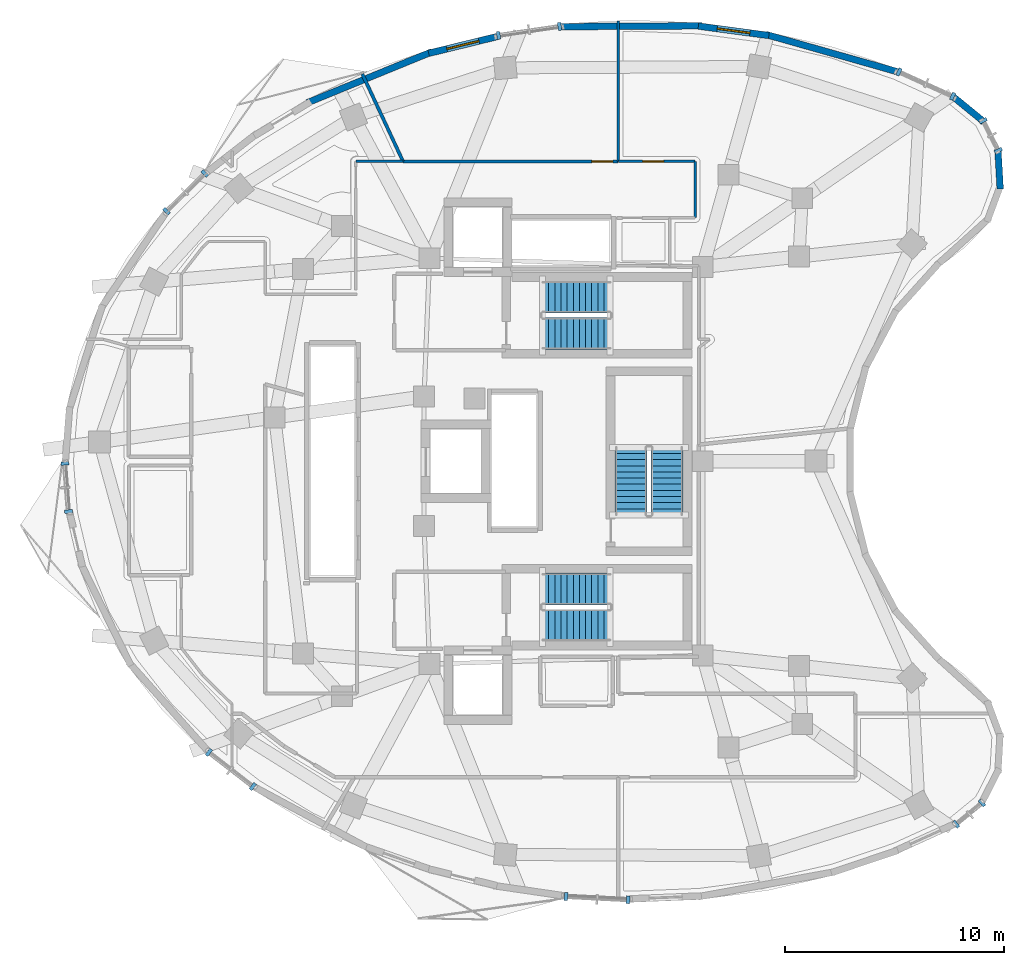
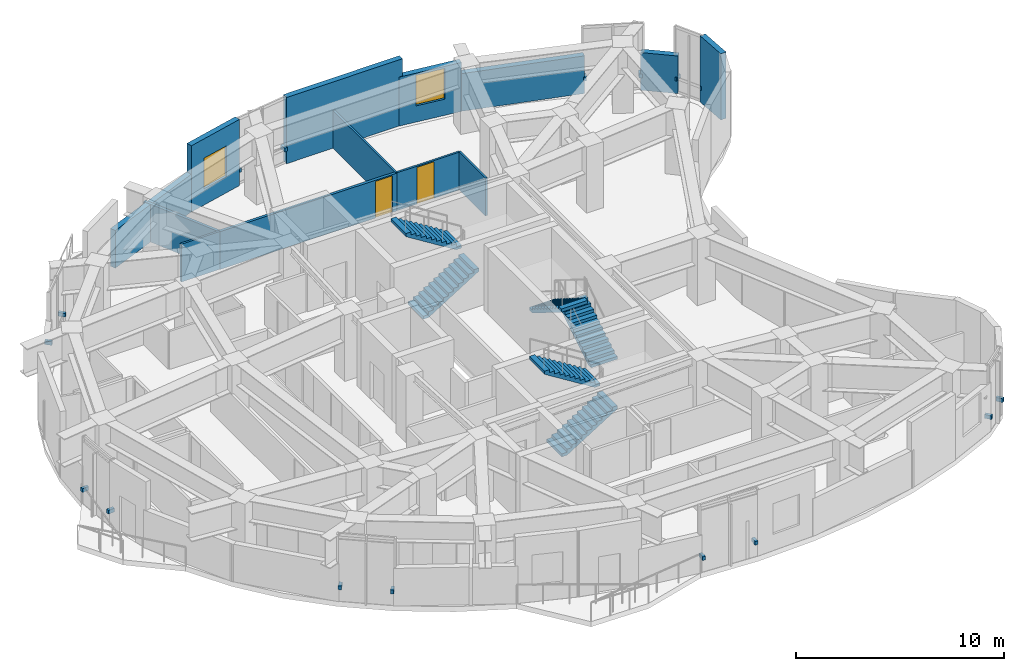
# One storey, part 10 of 13: 16 discrete accessories, 13 walls, 6 stair flights, 2 doors, 2 windows, 4 openings, 3 elements without a shape of their own.
"""IFC4 building model written with IfcOpenShell, lengths in metres."""

from ifc_helpers import new_model, si_unit, direction, frame, frame_2d, origin, origin_2d, place, context, subcontext, project, spatial, polyline, rectangle, outline, extrude, material, layer, layer_set, type_object, element, fill, aggregate, save


model = new_model("IFC4")

# Units and contexts
model_context = context("Model", 3, precision=1e-05, world=origin(), true_north=direction((0.0, 1.0)))
body_context = subcontext(model_context, "Body", "Model", "MODEL_VIEW")
ifc_project = project(units=[si_unit("LENGTHUNIT", "METRE"), si_unit("AREAUNIT", "SQUARE_METRE"), si_unit("VOLUMEUNIT", "CUBIC_METRE"), si_unit("PLANEANGLEUNIT", "RADIAN"), si_unit("MASSUNIT", "GRAM", prefix="KILO")], contexts=[model_context])

# Site, building, storey
site_placement = place(None, origin())
site = spatial("IfcSite", under=ifc_project, at=site_placement, CompositionType="ELEMENT")
building_placement = place(site_placement, origin())
building = spatial("IfcBuilding", under=site, at=building_placement, Name="Korentha Bioscience Tower", CompositionType="ELEMENT")
storey_placement = place(building_placement, frame((0.0, 0.0, 208.800048828125)))
storey = spatial("IfcBuildingStorey", under=building, at=storey_placement, Name="L48", CompositionType="ELEMENT", Elevation=208.800048828125)

# Wall, opening, door
ifc_material_1 = material(Name="Double-Stud Acoustic Gypsum", Category="gypsum")
ifc_layer_1 = layer(ifc_material_1, 0.14990234375, Name="Double-Stud Acoustic Gypsum")
ifc_layer_set_1 = layer_set([ifc_layer_1], Name="Double-Stud Acoustic Gypsum (IW-L150)")
wall_type_1 = type_object("IfcWallType", Name="Acoustic Laboratory Partition Wall 150", PredefinedType="PARTITIONING", material=ifc_layer_set_1)
wall_1_placement = place(storey_placement, frame((33.69189453125, 40.659912109375, 0.0), z_axis=(0.0, 0.0, 1.0), x_axis=(-1.0, 0.0, 0.0)))
wall_1 = element("IfcWall", 1, at=wall_1_placement, inside=storey, type_object=wall_type_1, Name="L48 Data Visualization Collaboration Hub 08 Entrance Wall", PredefinedType="PARTITIONING", context=body_context, shape_type="SweptSolid", body=[
    extrude(rectangle(XDim=9.798095703125, YDim=0.14990234375, at=frame_2d((4.89892578125, 0.0))), origin(), (0.0, 0.0, 1.0), 2.219970703125),
])
opening_1_placement = place(wall_1_placement, frame((0.239990234375, 0.0, 0.0)))
opening_1 = element("IfcOpeningElement", 2, at=opening_1_placement, cuts=wall_1, Name="Opening ID-10R", PredefinedType="OPENING", context=body_context, shape_type="SweptSolid", body=[
    extrude(rectangle(XDim=0.949951171875, YDim=2.14990234375, at=frame_2d((0.47509765625, 1.074951171875))), frame((0.0, 0.08984375, 0.0), z_axis=(0.0, -1.0, 0.0), x_axis=(1.0, 0.0, 0.0)), (0.0, 0.0, 1.0), 0.1796875),
])
ifc_material_2 = material(Name="Phenolic Laminate Timber Core", Category="wood")
door_type_1 = type_object("IfcDoorType", Name="Laboratory Single Leaf Door 950x2150 Right", OperationType="SINGLE_SWING_RIGHT", PredefinedType="DOOR", material=ifc_material_2)
door_1_placement = place(opening_1_placement, origin())
door_1 = element("IfcDoor", 3, at=door_1_placement, inside=storey, type_object=door_type_1, Name="L48 Data Visualization Collaboration Hub 08 Door", OperationType="SINGLE_SWING_RIGHT", OverallHeight=2.14990234375, OverallWidth=0.949951171875, PredefinedType="DOOR", context=body_context, shape_type="SweptSolid", body=[
    extrude(rectangle(XDim=0.949951171875, YDim=2.14990234375, at=frame_2d((0.47509765625, 1.074951171875))), frame((0.0, 0.02490234375, 0.0), z_axis=(0.0, -1.0, 0.0), x_axis=(1.0, 0.0, 0.0)), (0.0, 0.0, 1.0), 0.050048828125),
])
fill(opening_1, door_1)

# Wall
wall_2_placement = place(storey_placement, frame((23.893798828125, 40.659912109375, 0.0), z_axis=(0.0, 0.0, 1.0), x_axis=(-0.422620807898, 0.90630659974, 0.0)))
element("IfcWall", 4, at=wall_2_placement, inside=storey, type_object=wall_type_1, Name="L48 Interior Partition 061", PredefinedType="PARTITIONING", context=body_context, shape_type="SweptSolid", body=[
    extrude(rectangle(XDim=4.393798828125, YDim=0.14990234375, at=frame_2d((2.19677734375, 0.0))), origin(), (0.0, 0.0, 1.0), 2.219970703125),
])

# Wall, opening, door
ifc_material_3 = material(Name="Fire-Rated Framed Glass", Category="glass")
ifc_layer_2 = layer(ifc_material_3, 0.110107421875, Name="Fire-Rated Framed Glass")
ifc_layer_set_2 = layer_set([ifc_layer_2], Name="Fire-Rated Framed Glass (IW-G110)")
wall_type_2 = type_object("IfcWallType", Name="Demountable Glazed Office Partition 110", PredefinedType="MOVABLE", material=ifc_layer_set_2)
wall_3_placement = place(storey_placement, frame((37.199951171875, 40.659912109375, 0.0), z_axis=(0.0, 0.0, 1.0), x_axis=(-1.0, 0.0, 0.0)))
wall_3 = element("IfcWall", 5, at=wall_3_placement, inside=storey, type_object=wall_type_2, Name="L48 Research Group Leader Office 07 Entrance Wall", PredefinedType="MOVABLE", context=body_context, shape_type="SweptSolid", body=[
    extrude(rectangle(XDim=3.498046875, YDim=0.110107421875, at=frame_2d((1.7490234375, 0.0))), origin(), (0.0, 0.0, 1.0), 2.219970703125),
])
opening_2_placement = place(wall_3_placement, frame((1.436279296875, 0.0, 0.0)))
opening_2 = element("IfcOpeningElement", 6, at=opening_2_placement, cuts=wall_3, Name="Opening ID-10L", PredefinedType="OPENING", context=body_context, shape_type="SweptSolid", body=[
    extrude(rectangle(XDim=0.949951171875, YDim=2.14990234375, at=frame_2d((0.47509765625, 1.074951171875))), frame((0.0, 0.06982421875, 0.0), z_axis=(0.0, -1.0, 0.0), x_axis=(1.0, 0.0, 0.0)), (0.0, 0.0, 1.0), 0.139892578125),
])
door_type_2 = type_object("IfcDoorType", Name="Laboratory Single Leaf Door 950x2150 Left", OperationType="SINGLE_SWING_LEFT", PredefinedType="DOOR", material=ifc_material_2)
door_2_placement = place(opening_2_placement, origin())
door_2 = element("IfcDoor", 7, at=door_2_placement, inside=storey, type_object=door_type_2, Name="L48 Research Group Leader Office 07 Door", OperationType="SINGLE_SWING_LEFT", OverallHeight=2.14990234375, OverallWidth=0.949951171875, PredefinedType="DOOR", context=body_context, shape_type="SweptSolid", body=[
    extrude(rectangle(XDim=0.949951171875, YDim=2.14990234375, at=frame_2d((0.47509765625, 1.074951171875))), frame((0.0, 0.02490234375, 0.0), z_axis=(0.0, -1.0, 0.0), x_axis=(1.0, 0.0, 0.0)), (0.0, 0.0, 1.0), 0.050048828125),
])
fill(opening_2, door_2)

# Walls
wall_4_placement = place(storey_placement, frame((37.2099609375, 38.10009765625, 0.0), z_axis=(0.0, 0.0, 1.0), x_axis=(0.0, 1.0, 0.0)))
element("IfcWall", 8, at=wall_4_placement, inside=storey, type_object=wall_type_2, Name="L48 Interior Partition 059", PredefinedType="MOVABLE", context=body_context, shape_type="SweptSolid", body=[
    extrude(rectangle(XDim=2.5498046875, YDim=0.110107421875, at=frame_2d((1.27490234375, 0.0))), origin(), (0.0, 0.0, 1.0), 2.219970703125),
])
wall_5_placement = place(storey_placement, frame((33.701904296875, 40.659912109375, 0.0), z_axis=(0.0, 0.0, 1.0), x_axis=(0.0, 1.0, 0.0)))
element("IfcWall", 9, at=wall_5_placement, inside=storey, type_object=wall_type_2, Name="L48 Interior Partition 060", PredefinedType="MOVABLE", context=body_context, shape_type="SweptSolid", body=[
    extrude(rectangle(XDim=6.395263671875, YDim=0.110107421875, at=frame_2d((3.19775390625, 0.0))), origin(), (0.0, 0.0, 1.0), 2.219970703125),
])
wall_6_placement = place(storey_placement, frame((23.8828125, 40.659912109375, 0.0), z_axis=(0.0, 0.0, 1.0), x_axis=(-1.0, 0.0, 0.0)))
element("IfcWall", 10, at=wall_6_placement, inside=storey, type_object=wall_type_2, Name="L48 Interior Partition 064", PredefinedType="MOVABLE", context=body_context, shape_type="SweptSolid", body=[
    extrude(rectangle(XDim=2.1328125, YDim=0.110107421875, at=frame_2d((1.06640625, 0.0))), origin(), (0.0, 0.0, 1.0), 2.219970703125),
])

# Wall, opening, window
ifc_material_4 = material(Name="Honed Limestone Precast Concrete C40", Category="masonry")
ifc_layer_3 = layer(ifc_material_4, 0.300048828125, Name="Honed Limestone Precast Concrete C40")
ifc_layer_set_3 = layer_set([ifc_layer_3], Name="Honed Limestone Precast Concrete C40 (EW-ST300)")
wall_type_3 = type_object("IfcWallType", Name="Honed Limestone Cavity Spandrel Wall 300", PredefinedType="STANDARD", material=ifc_layer_set_3)
wall_7_placement = place(storey_placement, frame((40.564697265625, 46.398681640625, 0.0), z_axis=(0.0, 0.0, 1.0), x_axis=(-0.991126983618, 0.132918404839, 0.0)))
wall_7 = element("IfcWall", 11, at=wall_7_placement, inside=storey, type_object=wall_type_3, Name="L48 Honed Limestone Spandrel Wall 04", PredefinedType="STANDARD", context=body_context, shape_type="SweptSolid", body=[
    extrude(rectangle(XDim=3.241943359375, YDim=0.300048828125, at=frame_2d((1.62109375, 0.0))), origin(), (0.0, 0.0, 1.0), 2.869873046875),
])
opening_3_placement = place(wall_7_placement, frame((0.87109375, 0.0, 0.949951171875)))
opening_3 = element("IfcOpeningElement", 12, at=opening_3_placement, cuts=wall_7, Name="Opening WN-02", PredefinedType="OPENING", context=body_context, shape_type="SweptSolid", body=[
    extrude(rectangle(XDim=1.5, YDim=1.800048828125, at=frame_2d((0.75, 0.89990234375))), frame((0.0, 0.1650390625, 0.0), z_axis=(0.0, -1.0, 0.0), x_axis=(1.0, 0.0, 0.0)), (0.0, 0.0, 1.0), 0.329833984375),
])
ifc_material_5 = material(Name="Thermally Broken Aluminium Triple Glazing", Category="aluminium")
window_type = type_object("IfcWindowType", Name="Acoustic Operable Office Window 1500x1800", PartitioningType="DOUBLE_PANEL_VERTICAL", PredefinedType="WINDOW", material=ifc_material_5)
window_1_placement = place(opening_3_placement, origin())
window_1 = element("IfcWindow", 13, at=window_1_placement, inside=storey, type_object=window_type, Name="L48 Facade Window 04", OverallHeight=1.800048828125, OverallWidth=1.5, PartitioningType="DOUBLE_PANEL_VERTICAL", PredefinedType="WINDOW", context=body_context, shape_type="SweptSolid", body=[
    extrude(rectangle(XDim=1.5, YDim=1.800048828125, at=frame_2d((0.75, 0.89990234375))), frame((0.0, 0.030029296875, 0.0), z_axis=(0.0, -1.0, 0.0), x_axis=(1.0, 0.0, 0.0)), (0.0, 0.0, 1.0), 0.06005859375),
])
fill(opening_3, window_1)

wall_8_placement = place(storey_placement, frame((28.172607421875, 46.349853515625, 0.0), z_axis=(0.0, 0.0, 1.0), x_axis=(-0.971262421812, -0.238011150948, 0.0)))
wall_8 = element("IfcWall", 14, at=wall_8_placement, inside=storey, type_object=wall_type_3, Name="L48 Honed Limestone Spandrel Wall 08", PredefinedType="STANDARD", context=body_context, shape_type="SweptSolid", body=[
    extrude(rectangle(XDim=3.201416015625, YDim=0.300048828125, at=frame_2d((1.6005859375, 0.0))), origin(), (0.0, 0.0, 1.0), 3.8798828125),
])
opening_4_placement = place(wall_8_placement, frame((0.8505859375, 0.0, 0.949951171875)))
opening_4 = element("IfcOpeningElement", 15, at=opening_4_placement, cuts=wall_8, Name="Opening WN-02", PredefinedType="OPENING", context=body_context, shape_type="SweptSolid", body=[
    extrude(rectangle(XDim=1.5, YDim=1.800048828125, at=frame_2d((0.75, 0.89990234375))), frame((0.0, 0.1650390625, 0.0), z_axis=(0.0, -1.0, 0.0), x_axis=(1.0, 0.0, 0.0)), (0.0, 0.0, 1.0), 0.329833984375),
])
window_2_placement = place(opening_4_placement, origin())
window_2 = element("IfcWindow", 16, at=window_2_placement, inside=storey, type_object=window_type, Name="L48 Facade Window 08", OverallHeight=1.800048828125, OverallWidth=1.5, PartitioningType="DOUBLE_PANEL_VERTICAL", PredefinedType="WINDOW", context=body_context, shape_type="SweptSolid", body=[
    extrude(rectangle(XDim=1.5, YDim=1.800048828125, at=frame_2d((0.75, 0.89990234375))), frame((0.0, 0.030029296875, 0.0), z_axis=(0.0, -1.0, 0.0), x_axis=(1.0, 0.0, 0.0)), (0.0, 0.0, 1.0), 0.06005859375),
])
fill(opening_4, window_2)

# Walls
wall_9_placement = place(storey_placement, frame((46.449462890625, 44.741455078125, 0.0), z_axis=(0.0, 0.0, 1.0), x_axis=(-0.962117712706, 0.272634383189, 0.0)))
element("IfcWall", 17, at=wall_9_placement, inside=storey, type_object=wall_type_3, Name="L48 Limestone Perimeter Closure Wall 02", PredefinedType="STANDARD", context=body_context, shape_type="SweptSolid", body=[
    extrude(rectangle(XDim=6.275634765625, YDim=0.300048828125, at=frame_2d((3.1376953125, 0.0))), origin(), (0.0, 0.0, 1.0), 2.204833984375),
])
wall_10_placement = place(storey_placement, frame((37.51318359375, 46.840576171875, 0.0), z_axis=(0.0, 0.0, 1.0), x_axis=(-0.999982235247, -0.005960636734, 0.0)))
element("IfcWall", 18, at=wall_10_placement, inside=storey, type_object=wall_type_3, Name="L48 Limestone Perimeter Closure Wall 05", PredefinedType="STANDARD", context=body_context, shape_type="SweptSolid", body=[
    extrude(rectangle(XDim=6.430419921875, YDim=0.300048828125, at=frame_2d((3.21533203125, 0.0))), origin(), (0.0, 0.0, 1.0), 3.8798828125),
])
wall_11_placement = place(storey_placement, frame((25.21044921875, 45.658447265625, 0.0), z_axis=(0.0, 0.0, 1.0), x_axis=(-0.925564684887, -0.37858950605, 0.0)))
element("IfcWall", 19, at=wall_11_placement, inside=storey, type_object=wall_type_3, Name="L48 Limestone Perimeter Closure Wall 09", PredefinedType="STANDARD", context=body_context, shape_type="SweptSolid", body=[
    extrude(rectangle(XDim=6.141845703125, YDim=0.300048828125, at=frame_2d((3.07080078125, 0.0))), origin(), (0.0, 0.0, 1.0), 2.204833984375),
])
wall_12_placement = place(storey_placement, frame((51.108154296875, 39.406494140625, 0.0), z_axis=(0.0, 0.0, 1.0), x_axis=(-0.057436686529, 0.998349150869, 0.0)))
element("IfcWall", 20, at=wall_12_placement, inside=storey, type_object=wall_type_3, Name="L48 Limestone Perimeter Closure Wall 60", PredefinedType="STANDARD", context=body_context, shape_type="SweptSolid", body=[
    extrude(rectangle(XDim=1.81494140625, YDim=0.300048828125, at=frame_2d((0.907470703125, 0.0))), origin(), (0.0, 0.0, 1.0), 3.8798828125),
])
wall_13_placement = place(storey_placement, frame((50.3701171875, 42.462646484375, 0.0), z_axis=(0.0, 0.0, 1.0), x_axis=(-0.774119060294, 0.633040030716, 0.0)))
element("IfcWall", 21, at=wall_13_placement, inside=storey, type_object=wall_type_3, Name="L48 Limestone Perimeter Closure Wall 62", PredefinedType="STANDARD", context=body_context, shape_type="SweptSolid", body=[
    extrude(rectangle(XDim=1.8154296875, YDim=0.300048828125, at=frame_2d((0.90771484375, 0.0))), origin(), (0.0, 0.0, 1.0), 2.204833984375),
])

# Stair, stair flights
ifc_material_6 = material(Name="Precast Concrete C50", Category="concrete")
stair_type = type_object("IfcStairType", Name="Core Exit Dog-Leg Stair 1450", PredefinedType="HALF_TURN_STAIR", material=ifc_material_6)
stair_1_placement = place(storey_placement, origin())
stair_1 = element("IfcStair", 22, at=stair_1_placement, inside=storey, type_object=stair_type, Name="L48 Tower North Pressurized Exit Stair ST-1", PredefinedType="HALF_TURN_STAIR")
stair_flight_type = type_object("IfcStairFlightType", Name="Core Exit Dog-Leg Stair 1450 Flight", PredefinedType="STRAIGHT", material=ifc_material_6)
stair_flight_1_placement = place(storey_placement, frame((30.25, 32.824951171875, 0.0), z_axis=(0.0, 0.0, 1.0), x_axis=(1.0, 0.0, 0.0)))
stair_flight_1 = element("IfcStairFlight", 23, at=stair_flight_1_placement, type_object=stair_flight_type, Name="ST-1 flight 1", NumberOfRisers=12, NumberOfTreads=11, PredefinedType="STRAIGHT", RiserHeight=0.175, TreadLength=0.28, context=body_context, shape_type="SweptSolid", body=[
    extrude(outline(polyline([(0.0, 0.0), (0.0, 0.175048828125), (0.280029296875, 0.175048828125), (0.280029296875, 0.35009765625), (0.56005859375, 0.35009765625), (0.56005859375, 0.52490234375), (0.840087890625, 0.52490234375), (0.840087890625, 0.699951171875), (1.1201171875, 0.699951171875), (1.1201171875, 0.875), (1.39990234375, 0.875), (1.39990234375, 1.050048828125), (1.679931640625, 1.050048828125), (1.679931640625, 1.22509765625), (1.9599609375, 1.22509765625), (1.9599609375, 1.39990234375), (2.239990234375, 1.39990234375), (2.239990234375, 1.574951171875), (2.52001953125, 1.574951171875), (2.52001953125, 1.75), (2.800048828125, 1.75), (2.800048828125, 1.925048828125), (3.080078125, 1.925048828125), (3.080078125, 2.10009765625), (3.080078125, 1.736328125), (0.3017578125, 0.0), (0.0, 0.0)])), frame((0.0, 0.72509765625, 0.0), z_axis=(0.0, -1.0, 0.0), x_axis=(1.0, 0.0, 0.0)), (0.0, 0.0, 1.0), 1.449951171875),
])
stair_flight_2_placement = place(storey_placement, frame((33.330078125, 34.47509765625, 2.099853515625), z_axis=(0.0, 0.0, 1.0), x_axis=(-1.0, 0.0, 0.0)))
stair_flight_2 = element("IfcStairFlight", 24, at=stair_flight_2_placement, type_object=stair_flight_type, Name="ST-1 flight 2", NumberOfRisers=12, NumberOfTreads=11, PredefinedType="STRAIGHT", RiserHeight=0.175, TreadLength=0.28, context=body_context, shape_type="SweptSolid", body=[
    extrude(outline(polyline([(0.0, 0.0), (0.0, 0.175048828125), (0.280029296875, 0.175048828125), (0.280029296875, 0.35009765625), (0.56005859375, 0.35009765625), (0.56005859375, 0.52490234375), (0.840087890625, 0.52490234375), (0.840087890625, 0.699951171875), (1.1201171875, 0.699951171875), (1.1201171875, 0.875), (1.39990234375, 0.875), (1.39990234375, 1.050048828125), (1.679931640625, 1.050048828125), (1.679931640625, 1.22509765625), (1.9599609375, 1.22509765625), (1.9599609375, 1.39990234375), (2.239990234375, 1.39990234375), (2.239990234375, 1.574951171875), (2.52001953125, 1.574951171875), (2.52001953125, 1.75), (2.800048828125, 1.75), (2.800048828125, 1.925048828125), (3.080078125, 1.925048828125), (3.080078125, 2.10009765625), (3.080078125, 1.736328125), (0.3017578125, 0.0), (0.0, 0.0)])), frame((0.0, 0.72509765625, 0.0), z_axis=(0.0, -1.0, 0.0), x_axis=(1.0, 0.0, 0.0)), (0.0, 0.0, 1.0), 1.449951171875),
])
aggregate(stair_1, [stair_flight_1, stair_flight_2])

stair_2_placement = place(storey_placement, origin())
stair_2 = element("IfcStair", 25, at=stair_2_placement, inside=storey, type_object=stair_type, Name="L48 Tower South Pressurized Exit Stair ST-2", PredefinedType="HALF_TURN_STAIR")
stair_flight_3_placement = place(storey_placement, frame((30.25, 19.52490234375, 0.0), z_axis=(0.0, 0.0, 1.0), x_axis=(1.0, 0.0, 0.0)))
stair_flight_3 = element("IfcStairFlight", 26, at=stair_flight_3_placement, type_object=stair_flight_type, Name="ST-2 flight 1", NumberOfRisers=12, NumberOfTreads=11, PredefinedType="STRAIGHT", RiserHeight=0.175, TreadLength=0.28, context=body_context, shape_type="SweptSolid", body=[
    extrude(outline(polyline([(0.0, 0.0), (0.0, 0.175048828125), (0.280029296875, 0.175048828125), (0.280029296875, 0.35009765625), (0.56005859375, 0.35009765625), (0.56005859375, 0.52490234375), (0.840087890625, 0.52490234375), (0.840087890625, 0.699951171875), (1.1201171875, 0.699951171875), (1.1201171875, 0.875), (1.39990234375, 0.875), (1.39990234375, 1.050048828125), (1.679931640625, 1.050048828125), (1.679931640625, 1.22509765625), (1.9599609375, 1.22509765625), (1.9599609375, 1.39990234375), (2.239990234375, 1.39990234375), (2.239990234375, 1.574951171875), (2.52001953125, 1.574951171875), (2.52001953125, 1.75), (2.800048828125, 1.75), (2.800048828125, 1.925048828125), (3.080078125, 1.925048828125), (3.080078125, 2.10009765625), (3.080078125, 1.736328125), (0.3017578125, 0.0), (0.0, 0.0)])), frame((0.0, 0.72509765625, 0.0), z_axis=(0.0, -1.0, 0.0), x_axis=(1.0, 0.0, 0.0)), (0.0, 0.0, 1.0), 1.449951171875),
])
stair_flight_4_placement = place(storey_placement, frame((33.330078125, 21.175048828125, 2.099853515625), z_axis=(0.0, 0.0, 1.0), x_axis=(-1.0, 0.0, 0.0)))
stair_flight_4 = element("IfcStairFlight", 27, at=stair_flight_4_placement, type_object=stair_flight_type, Name="ST-2 flight 2", NumberOfRisers=12, NumberOfTreads=11, PredefinedType="STRAIGHT", RiserHeight=0.175, TreadLength=0.28, context=body_context, shape_type="SweptSolid", body=[
    extrude(outline(polyline([(0.0, 0.0), (0.0, 0.175048828125), (0.280029296875, 0.175048828125), (0.280029296875, 0.35009765625), (0.56005859375, 0.35009765625), (0.56005859375, 0.52490234375), (0.840087890625, 0.52490234375), (0.840087890625, 0.699951171875), (1.1201171875, 0.699951171875), (1.1201171875, 0.875), (1.39990234375, 0.875), (1.39990234375, 1.050048828125), (1.679931640625, 1.050048828125), (1.679931640625, 1.22509765625), (1.9599609375, 1.22509765625), (1.9599609375, 1.39990234375), (2.239990234375, 1.39990234375), (2.239990234375, 1.574951171875), (2.52001953125, 1.574951171875), (2.52001953125, 1.75), (2.800048828125, 1.75), (2.800048828125, 1.925048828125), (3.080078125, 1.925048828125), (3.080078125, 2.10009765625), (3.080078125, 1.736328125), (0.3017578125, 0.0), (0.0, 0.0)])), frame((0.0, 0.72509765625, 0.0), z_axis=(0.0, -1.0, 0.0), x_axis=(1.0, 0.0, 0.0)), (0.0, 0.0, 1.0), 1.449951171875),
])
aggregate(stair_2, [stair_flight_3, stair_flight_4])

stair_3_placement = place(storey_placement, origin())
stair_3 = element("IfcStair", 28, at=stair_3_placement, inside=storey, type_object=stair_type, Name="L48 Tower Central Pressurized Exit Stair ST-3", PredefinedType="HALF_TURN_STAIR")
stair_flight_5_placement = place(storey_placement, frame((35.925048828125, 24.550048828125, 0.0), z_axis=(0.0, 0.0, 1.0), x_axis=(0.0, 1.0, 0.0)))
stair_flight_5 = element("IfcStairFlight", 29, at=stair_flight_5_placement, type_object=stair_flight_type, Name="ST-3 flight 1", NumberOfRisers=12, NumberOfTreads=11, PredefinedType="STRAIGHT", RiserHeight=0.175, TreadLength=0.28, context=body_context, shape_type="SweptSolid", body=[
    extrude(outline(polyline([(0.0, 0.0), (0.0, 0.175048828125), (0.280029296875, 0.175048828125), (0.280029296875, 0.35009765625), (0.56005859375, 0.35009765625), (0.56005859375, 0.52490234375), (0.840087890625, 0.52490234375), (0.840087890625, 0.699951171875), (1.1201171875, 0.699951171875), (1.1201171875, 0.875), (1.39990234375, 0.875), (1.39990234375, 1.050048828125), (1.679931640625, 1.050048828125), (1.679931640625, 1.22509765625), (1.9599609375, 1.22509765625), (1.9599609375, 1.39990234375), (2.239990234375, 1.39990234375), (2.239990234375, 1.574951171875), (2.52001953125, 1.574951171875), (2.52001953125, 1.75), (2.800048828125, 1.75), (2.800048828125, 1.925048828125), (3.080078125, 1.925048828125), (3.080078125, 2.10009765625), (3.080078125, 1.736328125), (0.3017578125, 0.0), (0.0, 0.0)])), frame((0.0, 0.72509765625, 0.0), z_axis=(0.0, -1.0, 0.0), x_axis=(1.0, 0.0, 0.0)), (0.0, 0.0, 1.0), 1.449951171875),
])
stair_flight_6_placement = place(storey_placement, frame((34.27490234375, 27.6298828125, 2.099853515625), z_axis=(0.0, 0.0, 1.0), x_axis=(0.0, -1.0, 0.0)))
stair_flight_6 = element("IfcStairFlight", 30, at=stair_flight_6_placement, type_object=stair_flight_type, Name="ST-3 flight 2", NumberOfRisers=12, NumberOfTreads=11, PredefinedType="STRAIGHT", RiserHeight=0.175, TreadLength=0.28, context=body_context, shape_type="SweptSolid", body=[
    extrude(outline(polyline([(0.0, 0.0), (0.0, 0.175048828125), (0.280029296875, 0.175048828125), (0.280029296875, 0.35009765625), (0.56005859375, 0.35009765625), (0.56005859375, 0.52490234375), (0.840087890625, 0.52490234375), (0.840087890625, 0.699951171875), (1.1201171875, 0.699951171875), (1.1201171875, 0.875), (1.39990234375, 0.875), (1.39990234375, 1.050048828125), (1.679931640625, 1.050048828125), (1.679931640625, 1.22509765625), (1.9599609375, 1.22509765625), (1.9599609375, 1.39990234375), (2.239990234375, 1.39990234375), (2.239990234375, 1.574951171875), (2.52001953125, 1.574951171875), (2.52001953125, 1.75), (2.800048828125, 1.75), (2.800048828125, 1.925048828125), (3.080078125, 1.925048828125), (3.080078125, 2.10009765625), (3.080078125, 1.736328125), (0.3017578125, 0.0), (0.0, 0.0)])), frame((0.0, 0.72509765625, 0.0), z_axis=(0.0, -1.0, 0.0), x_axis=(1.0, 0.0, 0.0)), (0.0, 0.0, 1.0), 1.449951171875),
])
aggregate(stair_3, [stair_flight_5, stair_flight_6])

# Discrete accessories
ifc_material_7 = material(Name="Stainless Steel 316", Category="steel")
discrete_accessory_type = type_object("IfcDiscreteAccessoryType", Name="Stainless Steel Solar-Screen Outrigger Bracket", PredefinedType="BRACKET", material=ifc_material_7)
for number, where, z_axis, x_axis, name in (
    (31, (48.939697265625, 43.628662109375, 0.73974609375), (0.0, 0.0, 1.0), (-0.910520215031, 0.413464554733, 0.0), "CW-L48-01 Solar-Screen Support Bracket 1"),
    (32, (46.495361328125, 44.738525390625, 0.73974609375), (0.0, 0.0, 1.0), (-0.910520215031, 0.413464554733, 0.0), "CW-L48-01 Solar-Screen Support Bracket 2"),
    (33, (31.027587890625, 46.81201171875, 0.73974609375), (0.0, 0.0, 1.0), (-0.989449480287, -0.144878314317, 0.0), "CW-L48-07 Solar-Screen Support Bracket 1"),
    (34, (28.242431640625, 46.404052734375, 0.73974609375), (0.0, 0.0, 1.0), (-0.989449480287, -0.144878314317, 0.0), "CW-L48-07 Solar-Screen Support Bracket 2"),
    (35, (14.857421875, 40.11181640625, 0.73974609375), (0.0, 0.0, 1.0), (-0.711177694756, -0.703012294688, 0.0), "CW-L48-13 Solar-Screen Support Bracket 1"),
    (36, (13.10986328125, 38.38427734375, 0.73974609375), (0.0, 0.0, 1.0), (-0.711177694756, -0.703012294688, 0.0), "CW-L48-13 Solar-Screen Support Bracket 2"),
    (37, (8.47705078125, 26.89892578125, 0.73974609375), (0.0, 0.0, 1.0), (0.077987717013, -0.996954319914, 0.0), "CW-L48-19 Solar-Screen Support Bracket 1"),
    (38, (8.648681640625, 24.70654296875, 0.73974609375), (0.0, 0.0, 1.0), (0.077987717013, -0.996954319914, 0.0), "CW-L48-19 Solar-Screen Support Bracket 2"),
    (39, (15.04296875, 13.72607421875, 0.73974609375), (0.0, 0.0, 1.0), (0.790346099854, -0.612660625833, 0.0), "CW-L48-25 Solar-Screen Support Bracket 1"),
    (40, (17.04541015625, 12.173583984375, 0.73974609375), (0.0, 0.0, 1.0), (0.790346099854, -0.612660625833, 0.0), "CW-L48-25 Solar-Screen Support Bracket 2"),
    (41, (31.320556640625, 7.1591796875, 0.73974609375), (0.0, 0.0, 1.0), (0.998634603964, -0.052239140168, 0.0), "CW-L48-31 Solar-Screen Support Bracket 1"),
    (42, (34.1484375, 7.01123046875, 0.73974609375), (0.0, 0.0, 1.0), (0.998634603964, -0.052239140168, 0.0), "CW-L48-31 Solar-Screen Support Bracket 2"),
    (43, (49.095458984375, 10.4560546875, 0.73974609375), (0.0, 0.0, 1.0), (0.774088224596, 0.633077736571, 0.0), "CW-L48-37 Solar-Screen Support Bracket 1"),
    (44, (50.277587890625, 11.4228515625, 0.73974609375), (0.0, 0.0, 1.0), (0.774088224596, 0.633077736571, 0.0), "CW-L48-37 Solar-Screen Support Bracket 2"),
    (45, (51.021240234375, 41.154052734375, 0.73974609375), (0.0, 0.0, 1.0), (-0.454115695623, 0.89094272262, 0.0), "CW-L48-61 Solar-Screen Support Bracket 1"),
    (46, (50.327880859375, 42.514404296875, 0.73974609375), (0.0, 0.0, 1.0), (-0.454115695623, 0.89094272262, 0.0), "CW-L48-61 Solar-Screen Support Bracket 2"),
):
    element("IfcDiscreteAccessory", number, at=place(storey_placement, frame(where, z_axis=z_axis, x_axis=x_axis)), inside=storey, type_object=discrete_accessory_type, Name=name, PredefinedType="BRACKET", context=body_context, shape_type="SweptSolid", body=[
        extrude(rectangle(XDim=0.159912109375, YDim=0.360107421875, at=origin_2d()), origin(), (0.0, 0.0, 1.0), 0.219970703125),
    ])

save(model, "model.ifc")
